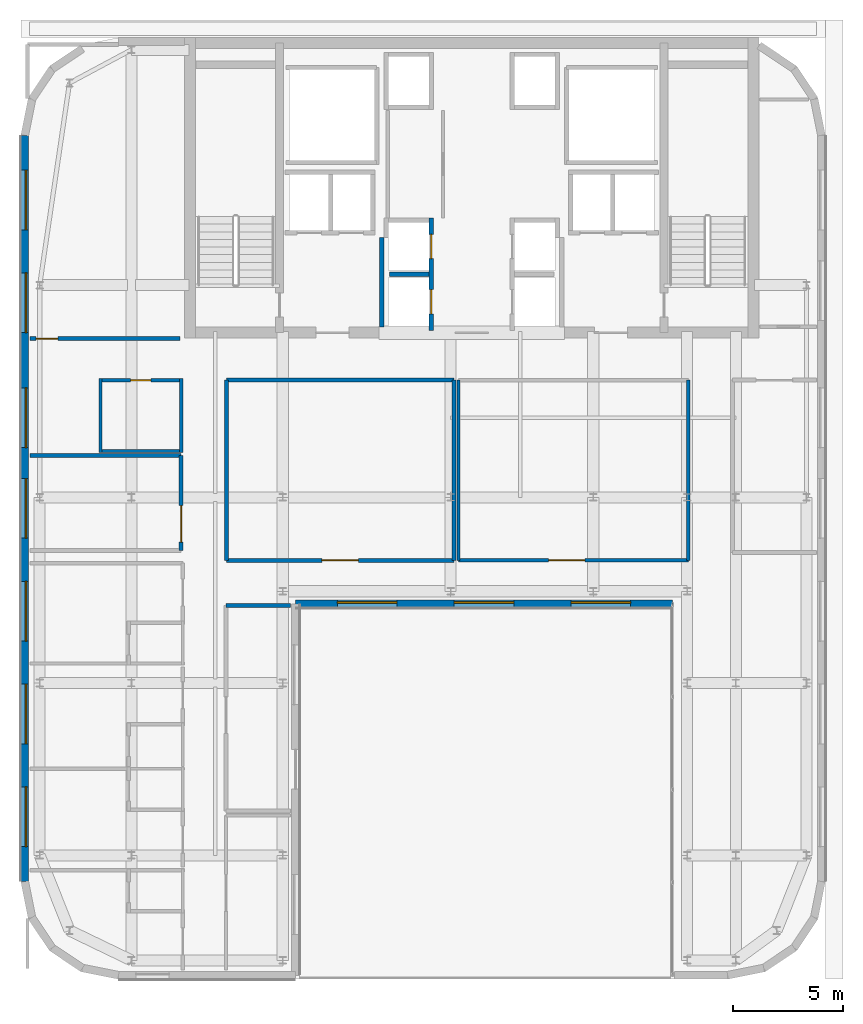
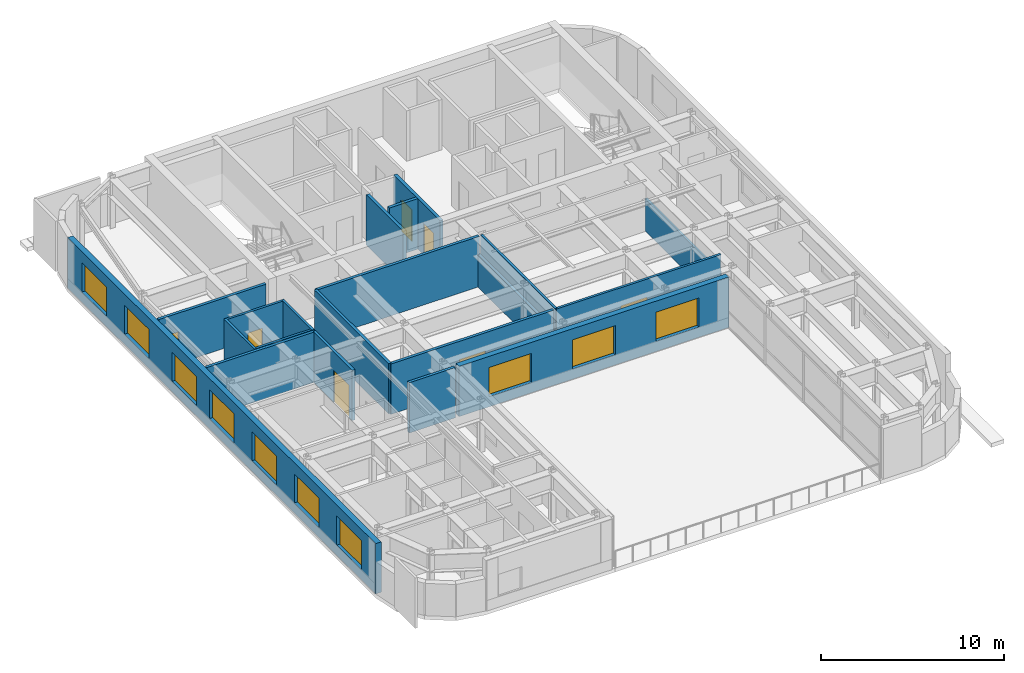
# One storey, part 9 of 16: 20 walls, 10 windows, 7 doors, 17 openings.
"""IFC4 building model written with IfcOpenShell, lengths in metres."""

from ifc_helpers import new_model, si_unit, direction, frame, frame_2d, origin, place, context, subcontext, project, spatial, rectangle, extrude, source, transform, mapped, material, layer, layer_set, type_object, type_shapes, element, fill, save


model = new_model("IFC4")

# Units and contexts
model_context = context("Model", 3, precision=1e-05, world=origin(), true_north=direction((0.0, 1.0)))
body_context = subcontext(model_context, "Body", "Model", "MODEL_VIEW")
ifc_project = project(units=[si_unit("LENGTHUNIT", "METRE"), si_unit("AREAUNIT", "SQUARE_METRE"), si_unit("VOLUMEUNIT", "CUBIC_METRE"), si_unit("PLANEANGLEUNIT", "RADIAN"), si_unit("MASSUNIT", "GRAM", prefix="KILO")], contexts=[model_context])

# Site, building, storey
site_placement = place(None, origin())
site = spatial("IfcSite", under=ifc_project, at=site_placement, CompositionType="ELEMENT")
building_placement = place(site_placement, origin())
building = spatial("IfcBuilding", under=site, at=building_placement, Name="Tolvann Quenvar Hotel", CompositionType="ELEMENT")
storey_placement = place(building_placement, frame((0.0, 0.0, 241.64990234375)))
storey = spatial("IfcBuildingStorey", under=building, at=storey_placement, Name="L64", CompositionType="ELEMENT", Elevation=241.64990234375)

# Wall, openings, windows
ifc_material_1 = material(Name="Kiln-fired red and buff architectural clay brickwork and terracotta masonry", Category="masonry")
ifc_layer_1 = layer(ifc_material_1, 0.35009765625)
ifc_layer_set_1 = layer_set([ifc_layer_1], Name="Kiln-fired red and buff architectural clay brickwork and terracotta masonry")
wall_type_1 = type_object("IfcWallType", Name="WALL_EXT_BRICK_350", PredefinedType="SOLIDWALL", material=ifc_layer_set_1)
wall_1_placement = place(storey_placement, frame((15.02490234375, 19.574951171875, 0.0), z_axis=(0.0, 0.0, 1.0), x_axis=(1.0, 0.0, 0.0)))
wall_1 = element("IfcWall", 1, at=wall_1_placement, inside=storey, type_object=wall_type_1, Name="Exterior Chicago Brick Wall L64-E06", PredefinedType="SOLIDWALL", context=body_context, shape_type="SweptSolid", body=[
    extrude(rectangle(XDim=17.065185546875, YDim=0.35009765625, at=frame_2d((8.53271484375, 0.0))), origin(), (0.0, 0.0, 1.0), 3.3701171875),
])
opening_1_placement = place(wall_1_placement, frame((1.89404296875, 0.0, 0.679931640625)))
opening_1 = element("IfcOpeningElement", 2, at=opening_1_placement, cuts=wall_1, Name="Opening W-04", PredefinedType="OPENING", context=body_context, shape_type="SweptSolid", body=[
    extrude(rectangle(XDim=2.699951171875, YDim=1.949951171875, at=frame_2d((1.35009765625, 0.97509765625))), frame((0.0, 0.18505859375, 0.0), z_axis=(0.0, -1.0, 0.0), x_axis=(1.0, 0.0, 0.0)), (0.0, 0.0, 1.0), 0.3701171875),
])
opening_2_placement = place(wall_1_placement, frame((7.18310546875, 0.0, 0.679931640625)))
opening_2 = element("IfcOpeningElement", 3, at=opening_2_placement, cuts=wall_1, Name="Opening W-04", PredefinedType="OPENING", context=body_context, shape_type="SweptSolid", body=[
    extrude(rectangle(XDim=2.699951171875, YDim=1.949951171875, at=frame_2d((1.35009765625, 0.97509765625))), frame((0.0, 0.18505859375, 0.0), z_axis=(0.0, -1.0, 0.0), x_axis=(1.0, 0.0, 0.0)), (0.0, 0.0, 1.0), 0.3701171875),
])
opening_3_placement = place(wall_1_placement, frame((12.470947265625, 0.0, 0.679931640625)))
opening_3 = element("IfcOpeningElement", 4, at=opening_3_placement, cuts=wall_1, Name="Opening W-04", PredefinedType="OPENING", context=body_context, shape_type="SweptSolid", body=[
    extrude(rectangle(XDim=2.699951171875, YDim=1.949951171875, at=frame_2d((1.35009765625, 0.97509765625))), frame((0.0, 0.18505859375, 0.0), z_axis=(0.0, -1.0, 0.0), x_axis=(1.0, 0.0, 0.0)), (0.0, 0.0, 1.0), 0.3701171875),
])
ifc_material_2 = material(Name="Thermally broken bronze-anodised aluminium frame with double low-E glazing", Category="aluminium")
window_type = type_object("IfcWindowType", Name="WIN_STE_2700x2150", PartitioningType="TRIPLE_PANEL_HORIZONTAL", PredefinedType="WINDOW", material=ifc_material_2)
shared_shape_1 = source(origin(), body_context, "Body", "SweptSolid", [
    extrude(rectangle(XDim=2.699951171875, YDim=1.949951171875, at=frame_2d((1.35009765625, 0.97509765625))), frame((0.0, 0.090087890625, 0.0), z_axis=(0.0, -1.0, 0.0), x_axis=(1.0, 0.0, 0.0)), (0.0, 0.0, 1.0), 0.06005859375),
])
type_shapes(window_type, [shared_shape_1])
window_1_placement = place(opening_1_placement, origin())
window_1 = element("IfcWindow", 5, at=window_1_placement, inside=storey, type_object=window_type, Name="Chicago Window W-04 (EW-L64-E06-W01)", OverallHeight=1.949951171875, OverallWidth=2.699951171875, PartitioningType="TRIPLE_PANEL_HORIZONTAL", PredefinedType="WINDOW", context=body_context, shape_type="MappedRepresentation", body=[
    mapped(shared_shape_1, transform((0.0, 0.0, 0.0), x_axis=(1.0, 0.0, 0.0), y_axis=(0.0, 1.0, 0.0), z_axis=(0.0, 0.0, 1.0), scale=1.0)),
])
fill(opening_1, window_1)
window_2_placement = place(opening_2_placement, origin())
window_2 = element("IfcWindow", 6, at=window_2_placement, inside=storey, type_object=window_type, Name="Chicago Window W-04 (EW-L64-E06-W02)", OverallHeight=1.949951171875, OverallWidth=2.699951171875, PartitioningType="TRIPLE_PANEL_HORIZONTAL", PredefinedType="WINDOW", context=body_context, shape_type="MappedRepresentation", body=[
    mapped(shared_shape_1, transform((0.0, 0.0, 0.0), x_axis=(1.0, 0.0, 0.0), y_axis=(0.0, 1.0, 0.0), z_axis=(0.0, 0.0, 1.0), scale=1.0)),
])
fill(opening_2, window_2)
window_3_placement = place(opening_3_placement, origin())
window_3 = element("IfcWindow", 7, at=window_3_placement, inside=storey, type_object=window_type, Name="Chicago Window W-04 (EW-L64-E06-W03)", OverallHeight=1.949951171875, OverallWidth=2.699951171875, PartitioningType="TRIPLE_PANEL_HORIZONTAL", PredefinedType="WINDOW", context=body_context, shape_type="MappedRepresentation", body=[
    mapped(shared_shape_1, transform((0.0, 0.0, 0.0), x_axis=(1.0, 0.0, 0.0), y_axis=(0.0, 1.0, 0.0), z_axis=(0.0, 0.0, 1.0), scale=1.0)),
])
fill(opening_3, window_3)

wall_2_placement = place(storey_placement, frame((2.77490234375, 40.78271484375, 0.0), z_axis=(0.0, 0.0, 1.0), x_axis=(0.0, -1.0, 0.0)))
wall_2 = element("IfcWall", 8, at=wall_2_placement, inside=storey, type_object=wall_type_1, Name="Exterior Chicago Brick Wall L64-E23", PredefinedType="SOLIDWALL", context=body_context, shape_type="SweptSolid", body=[
    extrude(rectangle(XDim=33.765625, YDim=0.35009765625, at=frame_2d((16.8828125, 0.0))), origin(), (0.0, 0.0, 1.0), 3.3701171875),
])
opening_4_placement = place(wall_2_placement, frame((1.575927734375, 0.0, 0.679931640625)))
opening_4 = element("IfcOpeningElement", 9, at=opening_4_placement, cuts=wall_2, Name="Opening W-04", PredefinedType="OPENING", context=body_context, shape_type="SweptSolid", body=[
    extrude(rectangle(XDim=2.699951171875, YDim=1.949951171875, at=frame_2d((1.35009765625, 0.97509765625))), frame((0.0, 0.18505859375, 0.0), z_axis=(0.0, -1.0, 0.0), x_axis=(1.0, 0.0, 0.0)), (0.0, 0.0, 1.0), 0.3701171875),
])
opening_5_placement = place(wall_2_placement, frame((6.22802734375, 0.0, 0.679931640625)))
opening_5 = element("IfcOpeningElement", 10, at=opening_5_placement, cuts=wall_2, Name="Opening W-04", PredefinedType="OPENING", context=body_context, shape_type="SweptSolid", body=[
    extrude(rectangle(XDim=2.699951171875, YDim=1.949951171875, at=frame_2d((1.35009765625, 0.97509765625))), frame((0.0, 0.18505859375, 0.0), z_axis=(0.0, -1.0, 0.0), x_axis=(1.0, 0.0, 0.0)), (0.0, 0.0, 1.0), 0.3701171875),
])
opening_6_placement = place(wall_2_placement, frame((11.430908203125, 0.0, 0.679931640625)))
opening_6 = element("IfcOpeningElement", 11, at=opening_6_placement, cuts=wall_2, Name="Opening W-04", PredefinedType="OPENING", context=body_context, shape_type="SweptSolid", body=[
    extrude(rectangle(XDim=2.699951171875, YDim=1.949951171875, at=frame_2d((1.35009765625, 0.97509765625))), frame((0.0, 0.18505859375, 0.0), z_axis=(0.0, -1.0, 0.0), x_axis=(1.0, 0.0, 0.0)), (0.0, 0.0, 1.0), 0.3701171875),
])
opening_7_placement = place(wall_2_placement, frame((15.532958984375, 0.0, 0.679931640625)))
opening_7 = element("IfcOpeningElement", 12, at=opening_7_placement, cuts=wall_2, Name="Opening W-04", PredefinedType="OPENING", context=body_context, shape_type="SweptSolid", body=[
    extrude(rectangle(XDim=2.699951171875, YDim=1.949951171875, at=frame_2d((1.35009765625, 0.97509765625))), frame((0.0, 0.18505859375, 0.0), z_axis=(0.0, -1.0, 0.0), x_axis=(1.0, 0.0, 0.0)), (0.0, 0.0, 1.0), 0.3701171875),
])
opening_8_placement = place(wall_2_placement, frame((20.18505859375, 0.0, 0.679931640625)))
opening_8 = element("IfcOpeningElement", 13, at=opening_8_placement, cuts=wall_2, Name="Opening W-04", PredefinedType="OPENING", context=body_context, shape_type="SweptSolid", body=[
    extrude(rectangle(XDim=2.699951171875, YDim=1.949951171875, at=frame_2d((1.35009765625, 0.97509765625))), frame((0.0, 0.18505859375, 0.0), z_axis=(0.0, -1.0, 0.0), x_axis=(1.0, 0.0, 0.0)), (0.0, 0.0, 1.0), 0.3701171875),
])
opening_9_placement = place(wall_2_placement, frame((24.8369140625, 0.0, 0.679931640625)))
opening_9 = element("IfcOpeningElement", 14, at=opening_9_placement, cuts=wall_2, Name="Opening W-04", PredefinedType="OPENING", context=body_context, shape_type="SweptSolid", body=[
    extrude(rectangle(XDim=2.699951171875, YDim=1.949951171875, at=frame_2d((1.35009765625, 0.97509765625))), frame((0.0, 0.18505859375, 0.0), z_axis=(0.0, -1.0, 0.0), x_axis=(1.0, 0.0, 0.0)), (0.0, 0.0, 1.0), 0.3701171875),
])
opening_10_placement = place(wall_2_placement, frame((29.489013671875, 0.0, 0.679931640625)))
opening_10 = element("IfcOpeningElement", 15, at=opening_10_placement, cuts=wall_2, Name="Opening W-04", PredefinedType="OPENING", context=body_context, shape_type="SweptSolid", body=[
    extrude(rectangle(XDim=2.699951171875, YDim=1.949951171875, at=frame_2d((1.35009765625, 0.97509765625))), frame((0.0, 0.18505859375, 0.0), z_axis=(0.0, -1.0, 0.0), x_axis=(1.0, 0.0, 0.0)), (0.0, 0.0, 1.0), 0.3701171875),
])
window_4_placement = place(opening_4_placement, origin())
window_4 = element("IfcWindow", 16, at=window_4_placement, inside=storey, type_object=window_type, Name="Chicago Window W-04 (EW-L64-E23-W01)", OverallHeight=1.949951171875, OverallWidth=2.699951171875, PartitioningType="TRIPLE_PANEL_HORIZONTAL", PredefinedType="WINDOW", context=body_context, shape_type="MappedRepresentation", body=[
    mapped(shared_shape_1, transform((0.0, 0.0, 0.0), x_axis=(1.0, 0.0, 0.0), y_axis=(0.0, 1.0, 0.0), z_axis=(0.0, 0.0, 1.0), scale=1.0)),
])
fill(opening_4, window_4)
window_5_placement = place(opening_5_placement, origin())
window_5 = element("IfcWindow", 17, at=window_5_placement, inside=storey, type_object=window_type, Name="Chicago Window W-04 (EW-L64-E23-W02)", OverallHeight=1.949951171875, OverallWidth=2.699951171875, PartitioningType="TRIPLE_PANEL_HORIZONTAL", PredefinedType="WINDOW", context=body_context, shape_type="MappedRepresentation", body=[
    mapped(shared_shape_1, transform((0.0, 0.0, 0.0), x_axis=(1.0, 0.0, 0.0), y_axis=(0.0, 1.0, 0.0), z_axis=(0.0, 0.0, 1.0), scale=1.0)),
])
fill(opening_5, window_5)
window_6_placement = place(opening_6_placement, origin())
window_6 = element("IfcWindow", 18, at=window_6_placement, inside=storey, type_object=window_type, Name="Chicago Window W-04 (EW-L64-E23-W03)", OverallHeight=1.949951171875, OverallWidth=2.699951171875, PartitioningType="TRIPLE_PANEL_HORIZONTAL", PredefinedType="WINDOW", context=body_context, shape_type="MappedRepresentation", body=[
    mapped(shared_shape_1, transform((0.0, 0.0, 0.0), x_axis=(1.0, 0.0, 0.0), y_axis=(0.0, 1.0, 0.0), z_axis=(0.0, 0.0, 1.0), scale=1.0)),
])
fill(opening_6, window_6)
window_7_placement = place(opening_7_placement, origin())
window_7 = element("IfcWindow", 19, at=window_7_placement, inside=storey, type_object=window_type, Name="Chicago Window W-04 (EW-L64-E23-W04)", OverallHeight=1.949951171875, OverallWidth=2.699951171875, PartitioningType="TRIPLE_PANEL_HORIZONTAL", PredefinedType="WINDOW", context=body_context, shape_type="MappedRepresentation", body=[
    mapped(shared_shape_1, transform((0.0, 0.0, 0.0), x_axis=(1.0, 0.0, 0.0), y_axis=(0.0, 1.0, 0.0), z_axis=(0.0, 0.0, 1.0), scale=1.0)),
])
fill(opening_7, window_7)
window_8_placement = place(opening_8_placement, origin())
window_8 = element("IfcWindow", 20, at=window_8_placement, inside=storey, type_object=window_type, Name="Chicago Window W-04 (EW-L64-E23-W05)", OverallHeight=1.949951171875, OverallWidth=2.699951171875, PartitioningType="TRIPLE_PANEL_HORIZONTAL", PredefinedType="WINDOW", context=body_context, shape_type="MappedRepresentation", body=[
    mapped(shared_shape_1, transform((0.0, 0.0, 0.0), x_axis=(1.0, 0.0, 0.0), y_axis=(0.0, 1.0, 0.0), z_axis=(0.0, 0.0, 1.0), scale=1.0)),
])
fill(opening_8, window_8)
window_9_placement = place(opening_9_placement, origin())
window_9 = element("IfcWindow", 21, at=window_9_placement, inside=storey, type_object=window_type, Name="Chicago Window W-04 (EW-L64-E23-W06)", OverallHeight=1.949951171875, OverallWidth=2.699951171875, PartitioningType="TRIPLE_PANEL_HORIZONTAL", PredefinedType="WINDOW", context=body_context, shape_type="MappedRepresentation", body=[
    mapped(shared_shape_1, transform((0.0, 0.0, 0.0), x_axis=(1.0, 0.0, 0.0), y_axis=(0.0, 1.0, 0.0), z_axis=(0.0, 0.0, 1.0), scale=1.0)),
])
fill(opening_9, window_9)
window_10_placement = place(opening_10_placement, origin())
window_10 = element("IfcWindow", 22, at=window_10_placement, inside=storey, type_object=window_type, Name="Chicago Window W-04 (EW-L64-E23-W07)", OverallHeight=1.949951171875, OverallWidth=2.699951171875, PartitioningType="TRIPLE_PANEL_HORIZONTAL", PredefinedType="WINDOW", context=body_context, shape_type="MappedRepresentation", body=[
    mapped(shared_shape_1, transform((0.0, 0.0, 0.0), x_axis=(1.0, 0.0, 0.0), y_axis=(0.0, 1.0, 0.0), z_axis=(0.0, 0.0, 1.0), scale=1.0)),
])
fill(opening_10, window_10)

# Wall
ifc_material_3 = material(Name="Acoustic twin-stud fire-rated gypsum plasterboard partition")
ifc_layer_2 = layer(ifc_material_3, 0.179931640625)
ifc_layer_set_2 = layer_set([ifc_layer_2], Name="Acoustic twin-stud fire-rated gypsum plasterboard partition")
wall_type_2 = type_object("IfcWallType", Name="WALL_PART_ACOUSTIC_180", PredefinedType="PARTITIONING", material=ifc_layer_set_2)
wall_3_placement = place(storey_placement, frame((11.8798828125, 19.5, 0.0), z_axis=(0.0, 0.0, 1.0), x_axis=(1.0, 0.0, 0.0)))
element("IfcWall", 23, at=wall_3_placement, inside=storey, type_object=wall_type_2, Name="Interior Partition PT-SPC-L64-POVL-N", PredefinedType="PARTITIONING", context=body_context, shape_type="SweptSolid", body=[
    extrude(rectangle(XDim=2.9150390625, YDim=0.179931640625, at=frame_2d((1.45751953125, 0.0))), origin(), (0.0, 0.0, 1.0), 3.3701171875),
])

# Wall, opening, door
wall_4_placement = place(storey_placement, frame((11.89990234375, 21.550048828125, 0.0), z_axis=(0.0, 0.0, 1.0), x_axis=(1.0, 0.0, 0.0)))
wall_4 = element("IfcWall", 24, at=wall_4_placement, inside=storey, type_object=wall_type_2, Name="Interior Partition PT-SPC-L64-PCNTRW-S", PredefinedType="PARTITIONING", context=body_context, shape_type="SweptSolid", body=[
    extrude(rectangle(XDim=10.300048828125, YDim=0.179931640625, at=frame_2d((5.14990234375, 0.0))), origin(), (0.0, 0.0, 1.0), 3.3701171875),
])
opening_11_placement = place(wall_4_placement, frame((4.324951171875, 0.0, 0.0)))
opening_11 = element("IfcOpeningElement", 25, at=opening_11_placement, cuts=wall_4, Name="Opening AD-01", PredefinedType="OPENING", context=body_context, shape_type="SweptSolid", body=[
    extrude(rectangle(XDim=1.64990234375, YDim=2.14990234375, at=frame_2d((0.824951171875, 1.074951171875))), frame((0.0, 0.10009765625, 0.0), z_axis=(0.0, -1.0, 0.0), x_axis=(1.0, 0.0, 0.0)), (0.0, 0.0, 1.0), 0.199951171875),
])
ifc_material_4 = material(Name="Solid-core American oak acoustic fire door leaf in steel frame", Category="steel")
door_type_1 = type_object("IfcDoorType", Name="DOOR_SALON_1650", OperationType="NOTDEFINED", PredefinedType="DOOR", material=ifc_material_4)
shared_shape_2 = source(origin(), body_context, "Body", "SweptSolid", [
    extrude(rectangle(XDim=1.64990234375, YDim=2.14990234375, at=frame_2d((0.824951171875, 1.074951171875))), frame((0.0, 0.02490234375, 0.0), z_axis=(0.0, -1.0, 0.0), x_axis=(1.0, 0.0, 0.0)), (0.0, 0.0, 1.0), 0.050048828125),
])
type_shapes(door_type_1, [shared_shape_2])
door_1_placement = place(opening_11_placement, origin())
door_1 = element("IfcDoor", 26, at=door_1_placement, inside=storey, type_object=door_type_1, Name="Interior Door DOOR-SPC-L64-PCNTRW", OperationType="DOUBLE_DOOR_SINGLE_SWING", OverallHeight=2.14990234375, OverallWidth=1.64990234375, PredefinedType="DOOR", context=body_context, shape_type="MappedRepresentation", body=[
    mapped(shared_shape_2, transform((0.0, 0.0, 0.0), x_axis=(1.0, 0.0, 0.0), y_axis=(0.0, 1.0, 0.0), z_axis=(0.0, 0.0, 1.0), scale=1.0)),
])
fill(opening_11, door_1)

# Walls
wall_5_placement = place(storey_placement, frame((11.89990234375, 29.699951171875, 0.0), z_axis=(0.0, 0.0, 1.0), x_axis=(1.0, 0.0, 0.0)))
element("IfcWall", 27, at=wall_5_placement, inside=storey, type_object=wall_type_2, Name="Interior Partition PT-SPC-L64-PCNTRW-N", PredefinedType="PARTITIONING", context=body_context, shape_type="SweptSolid", body=[
    extrude(rectangle(XDim=10.300048828125, YDim=0.179931640625, at=frame_2d((5.14990234375, 0.0))), origin(), (0.0, 0.0, 1.0), 3.3701171875),
])
wall_6_placement = place(storey_placement, frame((11.89990234375, 21.550048828125, 0.0), z_axis=(0.0, 0.0, 1.0), x_axis=(0.0, 1.0, 0.0)))
element("IfcWall", 28, at=wall_6_placement, inside=storey, type_object=wall_type_2, Name="Interior Partition PT-SPC-L64-PCNTRW-W", PredefinedType="PARTITIONING", context=body_context, shape_type="SweptSolid", body=[
    extrude(rectangle(XDim=8.14990234375, YDim=0.179931640625, at=frame_2d((4.074951171875, 0.0))), origin(), (0.0, 0.0, 1.0), 3.3701171875),
])
wall_7_placement = place(storey_placement, frame((22.199951171875, 21.550048828125, 0.0), z_axis=(0.0, 0.0, 1.0), x_axis=(0.0, 1.0, 0.0)))
element("IfcWall", 29, at=wall_7_placement, inside=storey, type_object=wall_type_2, Name="Interior Partition PT-SPC-L64-PCNTRW-E", PredefinedType="PARTITIONING", context=body_context, shape_type="SweptSolid", body=[
    extrude(rectangle(XDim=8.14990234375, YDim=0.179931640625, at=frame_2d((4.074951171875, 0.0))), origin(), (0.0, 0.0, 1.0), 2.16015625),
])
wall_8_placement = place(storey_placement, frame((3.0048828125, 26.300048828125, 0.0), z_axis=(0.0, 0.0, 1.0), x_axis=(1.0, 0.0, 0.0)))
element("IfcWall", 30, at=wall_8_placement, inside=storey, type_object=wall_type_2, Name="Interior Partition PT-SPC-L64-WCLNG-N", PredefinedType="PARTITIONING", context=body_context, shape_type="SweptSolid", body=[
    extrude(rectangle(XDim=6.84521484375, YDim=0.179931640625, at=frame_2d((3.422607421875, 0.0))), origin(), (0.0, 0.0, 1.0), 3.3701171875),
])

# Wall, opening, door
wall_9_placement = place(storey_placement, frame((9.85009765625, 22.0, 0.0), z_axis=(0.0, 0.0, 1.0), x_axis=(0.0, 1.0, 0.0)))
wall_9 = element("IfcWall", 31, at=wall_9_placement, inside=storey, type_object=wall_type_2, Name="Interior Partition PT-SPC-L64-WCLNG-E", PredefinedType="PARTITIONING", context=body_context, shape_type="SweptSolid", body=[
    extrude(rectangle(XDim=4.300048828125, YDim=0.179931640625, at=frame_2d((2.14990234375, 0.0))), origin(), (0.0, 0.0, 1.0), 3.3701171875),
])
opening_12_placement = place(wall_9_placement, frame((0.375, 0.0, 0.0)))
opening_12 = element("IfcOpeningElement", 32, at=opening_12_placement, cuts=wall_9, Name="Opening AD-01", PredefinedType="OPENING", context=body_context, shape_type="SweptSolid", body=[
    extrude(rectangle(XDim=1.64990234375, YDim=2.14990234375, at=frame_2d((0.824951171875, 1.074951171875))), frame((0.0, 0.10009765625, 0.0), z_axis=(0.0, -1.0, 0.0), x_axis=(1.0, 0.0, 0.0)), (0.0, 0.0, 1.0), 0.199951171875),
])
door_2_placement = place(opening_12_placement, origin())
door_2 = element("IfcDoor", 33, at=door_2_placement, inside=storey, type_object=door_type_1, Name="Interior Door DOOR-SPC-L64-WCLNG", OperationType="DOUBLE_DOOR_SINGLE_SWING", OverallHeight=2.14990234375, OverallWidth=1.64990234375, PredefinedType="DOOR", context=body_context, shape_type="MappedRepresentation", body=[
    mapped(shared_shape_2, transform((0.0, 0.0, 0.0), x_axis=(1.0, 0.0, 0.0), y_axis=(0.0, 1.0, 0.0), z_axis=(0.0, 0.0, 1.0), scale=1.0)),
])
fill(opening_12, door_2)

wall_10_placement = place(storey_placement, frame((3.0048828125, 31.580078125, 0.0), z_axis=(0.0, 0.0, 1.0), x_axis=(1.0, 0.0, 0.0)))
wall_10 = element("IfcWall", 34, at=wall_10_placement, inside=storey, type_object=wall_type_2, Name="Interior Partition PT-SPC-L64-SAL-ENT", PredefinedType="PARTITIONING", context=body_context, shape_type="SweptSolid", body=[
    extrude(rectangle(XDim=6.795166015625, YDim=0.179931640625, at=frame_2d((3.3974609375, 0.0))), origin(), (0.0, 0.0, 1.0), 3.3701171875),
])
opening_13_placement = place(wall_10_placement, frame((0.284912109375, 0.0, 0.0)))
opening_13 = element("IfcOpeningElement", 35, at=opening_13_placement, cuts=wall_10, Name="Opening SD-01", PredefinedType="OPENING", context=body_context, shape_type="SweptSolid", body=[
    extrude(rectangle(XDim=0.97998046875, YDim=2.1201171875, at=frame_2d((0.489990234375, 1.06005859375))), frame((0.0, 0.10009765625, 0.0), z_axis=(0.0, -1.0, 0.0), x_axis=(1.0, 0.0, 0.0)), (0.0, 0.0, 1.0), 0.199951171875),
])
door_type_2 = type_object("IfcDoorType", Name="DOOR_SUITE_980", OperationType="NOTDEFINED", PredefinedType="DOOR", material=ifc_material_4)
shared_shape_3 = source(origin(), body_context, "Body", "SweptSolid", [
    extrude(rectangle(XDim=0.97998046875, YDim=2.1201171875, at=frame_2d((0.489990234375, 1.06005859375))), frame((0.0, 0.02490234375, 0.0), z_axis=(0.0, -1.0, 0.0), x_axis=(1.0, 0.0, 0.0)), (0.0, 0.0, 1.0), 0.050048828125),
])
type_shapes(door_type_2, [shared_shape_3])
door_3_placement = place(opening_13_placement, origin())
door_3 = element("IfcDoor", 36, at=door_3_placement, inside=storey, type_object=door_type_2, Name="Interior Door DOOR-SPC-L64-SAL", OperationType="SINGLE_SWING_LEFT", OverallHeight=2.1201171875, OverallWidth=0.97998046875, PredefinedType="DOOR", context=body_context, shape_type="MappedRepresentation", body=[
    mapped(shared_shape_3, transform((0.0, 0.0, 0.0), x_axis=(1.0, 0.0, 0.0), y_axis=(0.0, 1.0, 0.0), z_axis=(0.0, 0.0, 1.0), scale=1.0)),
])
fill(opening_13, door_3)

ifc_layer_3 = layer(ifc_material_3, 0.14990234375)
ifc_layer_set_3 = layer_set([ifc_layer_3], Name="Acoustic twin-stud fire-rated gypsum plasterboard partition")
wall_type_3 = type_object("IfcWallType", Name="WALL_PART_SUITE_150", PredefinedType="PARTITIONING", material=ifc_layer_set_3)
wall_11_placement = place(storey_placement, frame((22.39990234375, 21.550048828125, 0.0), z_axis=(0.0, 0.0, 1.0), x_axis=(1.0, 0.0, 0.0)))
wall_11 = element("IfcWall", 37, at=wall_11_placement, inside=storey, type_object=wall_type_3, Name="Interior Partition PT-SPC-L64-PCNTRE-S", PredefinedType="PARTITIONING", context=body_context, shape_type="SweptSolid", body=[
    extrude(rectangle(XDim=10.400146484375, YDim=0.14990234375, at=frame_2d((5.2001953125, 0.0))), origin(), (0.0, 0.0, 1.0), 3.3701171875),
])
opening_14_placement = place(wall_11_placement, frame((4.074951171875, 0.0, 0.0)))
opening_14 = element("IfcOpeningElement", 38, at=opening_14_placement, cuts=wall_11, Name="Opening AD-01", PredefinedType="OPENING", context=body_context, shape_type="SweptSolid", body=[
    extrude(rectangle(XDim=1.64990234375, YDim=2.14990234375, at=frame_2d((0.824951171875, 1.074951171875))), frame((0.0, 0.0849609375, 0.0), z_axis=(0.0, -1.0, 0.0), x_axis=(1.0, 0.0, 0.0)), (0.0, 0.0, 1.0), 0.169921875),
])
door_4_placement = place(opening_14_placement, origin())
door_4 = element("IfcDoor", 39, at=door_4_placement, inside=storey, type_object=door_type_1, Name="Interior Door DOOR-SPC-L64-PCNTRE", OperationType="DOUBLE_DOOR_SINGLE_SWING", OverallHeight=2.14990234375, OverallWidth=1.64990234375, PredefinedType="DOOR", context=body_context, shape_type="MappedRepresentation", body=[
    mapped(shared_shape_2, transform((0.0, 0.0, 0.0), x_axis=(1.0, 0.0, 0.0), y_axis=(0.0, 1.0, 0.0), z_axis=(0.0, 0.0, 1.0), scale=1.0)),
])
fill(opening_14, door_4)

# Walls
wall_12_placement = place(storey_placement, frame((22.39990234375, 21.550048828125, 0.0), z_axis=(0.0, 0.0, 1.0), x_axis=(0.0, 1.0, 0.0)))
element("IfcWall", 40, at=wall_12_placement, inside=storey, type_object=wall_type_3, Name="Interior Partition PT-SPC-L64-PCNTRE-W", PredefinedType="PARTITIONING", context=body_context, shape_type="SweptSolid", body=[
    extrude(rectangle(XDim=8.14990234375, YDim=0.14990234375, at=frame_2d((4.074951171875, 0.0))), origin(), (0.0, 0.0, 1.0), 3.3701171875),
])
wall_13_placement = place(storey_placement, frame((32.800048828125, 21.550048828125, 0.0), z_axis=(0.0, 0.0, 1.0), x_axis=(0.0, 1.0, 0.0)))
element("IfcWall", 41, at=wall_13_placement, inside=storey, type_object=wall_type_3, Name="Interior Partition PT-SPC-L64-PCNTRE-E", PredefinedType="PARTITIONING", context=body_context, shape_type="SweptSolid", body=[
    extrude(rectangle(XDim=8.14990234375, YDim=0.14990234375, at=frame_2d((4.074951171875, 0.0))), origin(), (0.0, 0.0, 1.0), 2.16015625),
])
wall_14_placement = place(storey_placement, frame((6.1298828125, 26.5, 0.0), z_axis=(0.0, 0.0, 1.0), x_axis=(1.0, 0.0, 0.0)))
element("IfcWall", 42, at=wall_14_placement, inside=storey, type_object=wall_type_3, Name="Interior Partition PT-SPC-L64-WCA-S", PredefinedType="PARTITIONING", context=body_context, shape_type="SweptSolid", body=[
    extrude(rectangle(XDim=3.7900390625, YDim=0.14990234375, at=frame_2d((1.89501953125, 0.0))), origin(), (0.0, 0.0, 1.0), 3.3701171875),
])

# Wall, opening, door
wall_15_placement = place(storey_placement, frame((6.1298828125, 29.699951171875, 0.0), z_axis=(0.0, 0.0, 1.0), x_axis=(1.0, 0.0, 0.0)))
wall_15 = element("IfcWall", 43, at=wall_15_placement, inside=storey, type_object=wall_type_3, Name="Interior Partition PT-SPC-L64-WCA-N", PredefinedType="PARTITIONING", context=body_context, shape_type="SweptSolid", body=[
    extrude(rectangle(XDim=3.7900390625, YDim=0.14990234375, at=frame_2d((1.89501953125, 0.0))), origin(), (0.0, 0.0, 1.0), 3.3701171875),
])
opening_15_placement = place(wall_15_placement, frame((1.43505859375, 0.0, 0.0)))
opening_15 = element("IfcOpeningElement", 44, at=opening_15_placement, cuts=wall_15, Name="Opening WD-01", PredefinedType="OPENING", context=body_context, shape_type="SweptSolid", body=[
    extrude(rectangle(XDim=0.919921875, YDim=2.010009765625, at=frame_2d((0.4599609375, 1.0048828125))), frame((0.0, 0.0849609375, 0.0), z_axis=(0.0, -1.0, 0.0), x_axis=(1.0, 0.0, 0.0)), (0.0, 0.0, 1.0), 0.169921875),
])
door_type_3 = type_object("IfcDoorType", Name="DOOR_WC_920", OperationType="NOTDEFINED", PredefinedType="DOOR", material=ifc_material_4)
shared_shape_4 = source(origin(), body_context, "Body", "SweptSolid", [
    extrude(rectangle(XDim=0.919921875, YDim=2.010009765625, at=frame_2d((0.4599609375, 1.0048828125))), frame((0.0, 0.02490234375, 0.0), z_axis=(0.0, -1.0, 0.0), x_axis=(1.0, 0.0, 0.0)), (0.0, 0.0, 1.0), 0.050048828125),
])
type_shapes(door_type_3, [shared_shape_4])
door_5_placement = place(opening_15_placement, origin())
door_5 = element("IfcDoor", 45, at=door_5_placement, inside=storey, type_object=door_type_3, Name="Interior Door DOOR-SPC-L64-WCA", OperationType="SINGLE_SWING_RIGHT", OverallHeight=2.010009765625, OverallWidth=0.919921875, PredefinedType="DOOR", context=body_context, shape_type="MappedRepresentation", body=[
    mapped(shared_shape_4, transform((0.0, 0.0, 0.0), x_axis=(1.0, 0.0, 0.0), y_axis=(0.0, 1.0, 0.0), z_axis=(0.0, 0.0, 1.0), scale=1.0)),
])
fill(opening_15, door_5)

# Walls
for number, where, z_axis, x_axis, name in (
    (46, (6.199951171875, 26.429931640625, 0.0), (0.0, 0.0, 1.0), (0.0, 1.0, 0.0), "Interior Partition PT-SPC-L64-WCA-W"),
    (47, (9.85009765625, 26.429931640625, 0.0), (0.0, 0.0, 1.0), (0.0, 1.0, 0.0), "Interior Partition PT-SPC-L64-WCA-E"),
):
    element("IfcWall", number, at=place(storey_placement, frame(where, z_axis=z_axis, x_axis=x_axis)), inside=storey, type_object=wall_type_3, Name=name, PredefinedType="PARTITIONING", context=body_context, shape_type="SweptSolid", body=[
        extrude(rectangle(XDim=3.340087890625, YDim=0.14990234375, at=frame_2d((1.669921875, 0.0))), origin(), (0.0, 0.0, 1.0), 3.3701171875),
    ])
ifc_material_5 = material(Name="Concrete N40 (40 MPa)", Category="concrete")
ifc_layer_4 = layer(ifc_material_5, 0.199951171875)
ifc_layer_set_4 = layer_set([ifc_layer_4], Name="Concrete N40 (40 MPa)")
wall_type_4 = type_object("IfcWallType", Name="WALL_SHAFT_200", PredefinedType="SOLIDWALL", material=ifc_layer_set_4)
wall_16_placement = place(storey_placement, frame((18.919921875, 32.10400390625, 0.0), z_axis=(0.0, 0.0, 1.0), x_axis=(0.0, 1.0, 0.0)))
element("IfcWall", 48, at=wall_16_placement, inside=storey, type_object=wall_type_4, Name="Firefighting Lobby W Inner Fire Wall (L64)", PredefinedType="SOLIDWALL", context=body_context, shape_type="SweptSolid", body=[
    extrude(rectangle(XDim=4.0458984375, YDim=0.199951171875, at=frame_2d((2.02294921875, 0.0))), origin(), (0.0, 0.0, 1.0), 3.3701171875),
])

# Wall, openings, doors
wall_17_placement = place(storey_placement, frame((21.169921875, 31.9599609375, 0.0), z_axis=(0.0, 0.0, 1.0), x_axis=(0.0, 1.0, 0.0)))
wall_17 = element("IfcWall", 49, at=wall_17_placement, inside=storey, type_object=wall_type_4, Name="Lift Bank E21.1C1 Hoistway Front Wall (L64)", PredefinedType="SOLIDWALL", context=body_context, shape_type="SweptSolid", body=[
    extrude(rectangle(XDim=5.080078125, YDim=0.199951171875, at=frame_2d((2.5400390625, 0.0))), origin(), (0.0, 0.0, 1.0), 3.3701171875),
])
opening_16_placement = place(wall_17_placement, frame((0.739990234375, 0.0, 0.0)))
opening_16 = element("IfcOpeningElement", 50, at=opening_16_placement, cuts=wall_17, Name="Opening LD-01", PredefinedType="OPENING", context=body_context, shape_type="SweptSolid", body=[
    extrude(rectangle(XDim=1.10009765625, YDim=2.1201171875, at=frame_2d((0.550048828125, 1.06005859375))), frame((0.0, 0.10986328125, 0.0), z_axis=(0.0, -1.0, 0.0), x_axis=(1.0, 0.0, 0.0)), (0.0, 0.0, 1.0), 0.219970703125),
])
opening_17_placement = place(wall_17_placement, frame((3.239990234375, 0.0, 0.0)))
opening_17 = element("IfcOpeningElement", 51, at=opening_17_placement, cuts=wall_17, Name="Opening LD-01", PredefinedType="OPENING", context=body_context, shape_type="SweptSolid", body=[
    extrude(rectangle(XDim=1.10009765625, YDim=2.1201171875, at=frame_2d((0.550048828125, 1.06005859375))), frame((0.0, 0.10986328125, 0.0), z_axis=(0.0, -1.0, 0.0), x_axis=(1.0, 0.0, 0.0)), (0.0, 0.0, 1.0), 0.219970703125),
])
ifc_material_6 = material(Name="Brushed 316 stainless steel automatic sliding lift landing door", Category="steel")
door_type_4 = type_object("IfcDoorType", Name="DOOR_LIFT_SLIDE_1100", OperationType="NOTDEFINED", PredefinedType="DOOR", material=ifc_material_6)
shared_shape_5 = source(origin(), body_context, "Body", "SweptSolid", [
    extrude(rectangle(XDim=1.10009765625, YDim=2.1201171875, at=frame_2d((0.550048828125, 1.06005859375))), frame((0.0, 0.02490234375, 0.0), z_axis=(0.0, -1.0, 0.0), x_axis=(1.0, 0.0, 0.0)), (0.0, 0.0, 1.0), 0.050048828125),
])
type_shapes(door_type_4, [shared_shape_5])
door_6_placement = place(opening_16_placement, origin())
door_6 = element("IfcDoor", 52, at=door_6_placement, inside=storey, type_object=door_type_4, Name="Lift PH-1 Sliding Landing Door (L64)", OperationType="SLIDING_TO_LEFT", OverallHeight=2.1201171875, OverallWidth=1.10009765625, PredefinedType="DOOR", context=body_context, shape_type="MappedRepresentation", body=[
    mapped(shared_shape_5, transform((0.0, 0.0, 0.0), x_axis=(1.0, 0.0, 0.0), y_axis=(0.0, 1.0, 0.0), z_axis=(0.0, 0.0, 1.0), scale=1.0)),
])
fill(opening_16, door_6)
door_7_placement = place(opening_17_placement, origin())
door_7 = element("IfcDoor", 53, at=door_7_placement, inside=storey, type_object=door_type_4, Name="Lift PH-2 Sliding Landing Door (L64)", OperationType="SLIDING_TO_RIGHT", OverallHeight=2.1201171875, OverallWidth=1.10009765625, PredefinedType="DOOR", context=body_context, shape_type="MappedRepresentation", body=[
    mapped(shared_shape_5, transform((0.0, 0.0, 0.0), x_axis=(1.0, 0.0, 0.0), y_axis=(0.0, 1.0, 0.0), z_axis=(0.0, 0.0, 1.0), scale=1.0)),
])
fill(opening_17, door_7)

# Wall
wall_18_placement = place(storey_placement, frame((19.27001953125, 34.5, 0.0), z_axis=(0.0, 0.0, 1.0), x_axis=(1.0, 0.0, 0.0)))
element("IfcWall", 54, at=wall_18_placement, inside=storey, type_object=wall_type_4, Name="Lift Bank E21.1C1 Divider Wall 1 (L64)", PredefinedType="SOLIDWALL", context=body_context, shape_type="SweptSolid", body=[
    extrude(rectangle(XDim=1.800048828125, YDim=0.199951171875, at=frame_2d((0.89990234375, 0.0))), origin(), (0.0, 0.0, 1.0), 3.3701171875),
])

save(model, "model.ifc")
